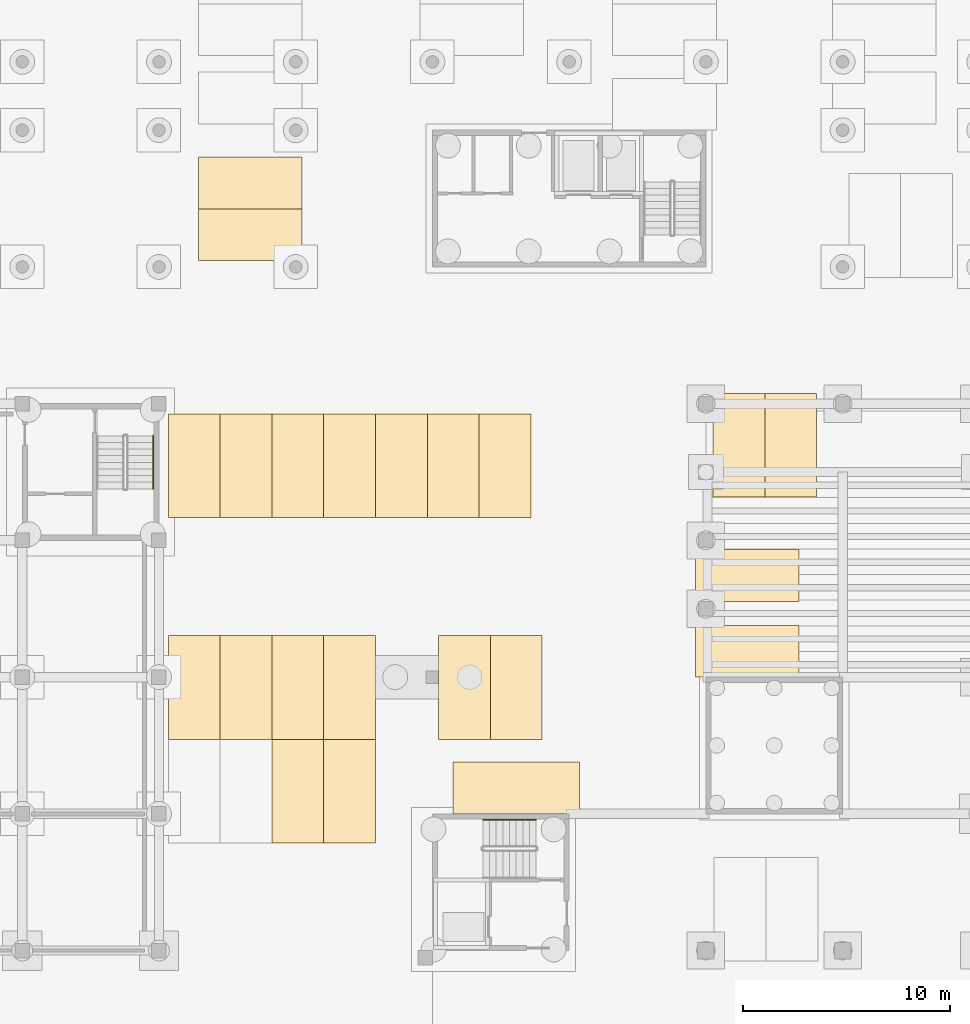
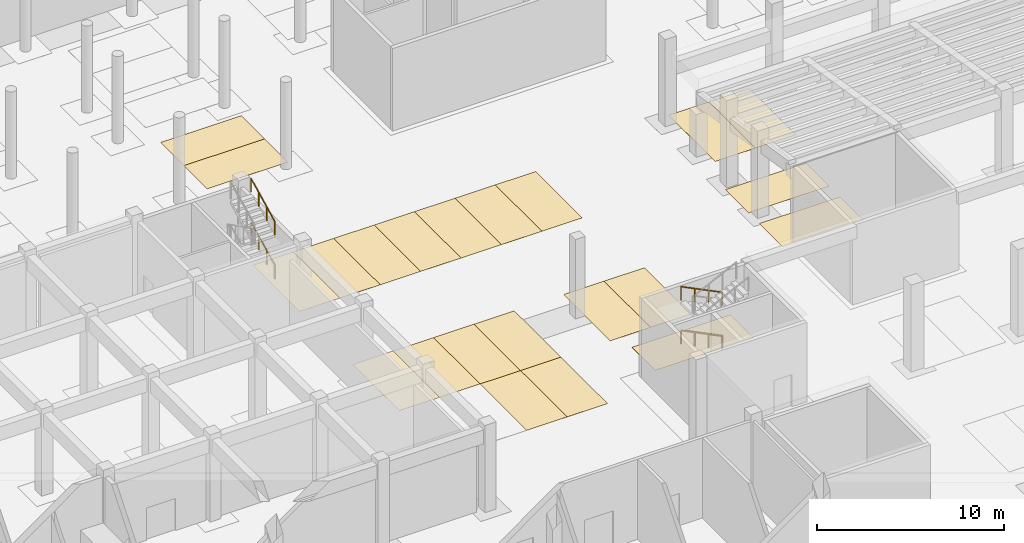
# One storey, part 33 of 38: 22 coverings, 4 railings.
"""IFC4 building model written with IfcOpenShell, lengths in metres."""

from ifc_helpers import new_model, si_unit, direction, frame, origin, origin_2d, place, context, subcontext, project, spatial, polyline, circle, outline, extrude, material, layer, layer_set, type_object, element, save


model = new_model("IFC4")

# Units and contexts
model_context = context("Model", 3, precision=1e-05, world=origin(), true_north=direction((0.0, 1.0)))
body_context = subcontext(model_context, "Body", "Model", "MODEL_VIEW")
ifc_project = project(units=[si_unit("LENGTHUNIT", "METRE"), si_unit("AREAUNIT", "SQUARE_METRE"), si_unit("VOLUMEUNIT", "CUBIC_METRE"), si_unit("PLANEANGLEUNIT", "RADIAN"), si_unit("MASSUNIT", "GRAM", prefix="KILO")], contexts=[model_context])

# Site, building, storey
site_placement = place(None, origin())
site = spatial("IfcSite", under=ifc_project, at=site_placement, CompositionType="ELEMENT")
building_placement = place(site_placement, origin())
building = spatial("IfcBuilding", under=site, at=building_placement, Name="Lantern Court Research Institute", CompositionType="ELEMENT")
storey_placement = place(building_placement, frame((0.0, 0.0, -5.699951171875)))
storey = spatial("IfcBuildingStorey", under=building, at=storey_placement, Name="B1", CompositionType="ELEMENT", Elevation=-5.699951171875)

# Coverings
ifc_material_1 = material(Name="Thermoplastic road marking paint")
ifc_layer_1 = layer(ifc_material_1, 0.0029296875)
ifc_layer_set_1 = layer_set([ifc_layer_1], Name="Thermoplastic road marking paint")
covering_type_1 = type_object("IfcCoveringType", Name="Accessible parking bay marking", PredefinedType="FLOORING", material=ifc_layer_set_1)
covering_1_placement = place(storey_placement, origin())
element("IfcCovering", 1, at=covering_1_placement, inside=storey, type_object=covering_type_1, Name="Accessible parking bay marking 04", PredefinedType="FLOORING", context=body_context, shape_type="SweptSolid", body=[
    extrude(outline(polyline([(40.60009765625, 56.10009765625), (46.699951171875, 56.10009765625), (46.699951171875, 58.60009765625), (40.60009765625, 58.60009765625), (40.60009765625, 56.10009765625)])), origin(), (0.0, 0.0, 1.0), 0.0029296875),
])
ifc_material_2 = material(Name="Thermoplastic road marking paint")
ifc_layer_2 = layer(ifc_material_2, 0.0029296875)
ifc_layer_set_2 = layer_set([ifc_layer_2], Name="Thermoplastic road marking paint")
covering_type_2 = type_object("IfcCoveringType", Name="Electric vehicle parking bay marking", PredefinedType="FLOORING", material=ifc_layer_set_2)
covering_2_placement = place(storey_placement, origin())
element("IfcCovering", 2, at=covering_2_placement, inside=storey, type_object=covering_type_2, Name="Electric vehicle parking bay marking 05", PredefinedType="FLOORING", context=body_context, shape_type="SweptSolid", body=[
    extrude(outline(polyline([(42.39990234375, 59.699951171875), (44.89990234375, 59.699951171875), (44.89990234375, 64.699951171875), (42.39990234375, 64.699951171875), (42.39990234375, 59.699951171875)])), origin(), (0.0, 0.0, 1.0), 0.0029296875),
])
ifc_material_3 = material(Name="Thermoplastic road marking paint")
ifc_layer_3 = layer(ifc_material_3, 0.0029296875)
ifc_layer_set_3 = layer_set([ifc_layer_3], Name="Thermoplastic road marking paint")
covering_type_3 = type_object("IfcCoveringType", Name="Parking bay marking", PredefinedType="FLOORING", material=ifc_layer_set_3)
covering_3_placement = place(storey_placement, origin())
element("IfcCovering", 3, at=covering_3_placement, inside=storey, type_object=covering_type_3, Name="Parking bay marking 082", PredefinedType="FLOORING", context=body_context, shape_type="SweptSolid", body=[
    extrude(outline(polyline([(31.85009765625, 54.699951171875), (34.35009765625, 54.699951171875), (34.35009765625, 59.699951171875), (31.85009765625, 59.699951171875), (31.85009765625, 54.699951171875)])), origin(), (0.0, 0.0, 1.0), 0.0029296875),
])
covering_4_placement = place(storey_placement, origin())
element("IfcCovering", 4, at=covering_4_placement, inside=storey, type_object=covering_type_3, Name="Parking bay marking 083", PredefinedType="FLOORING", context=body_context, shape_type="SweptSolid", body=[
    extrude(outline(polyline([(34.35009765625, 54.699951171875), (36.85009765625, 54.699951171875), (36.85009765625, 59.699951171875), (34.35009765625, 59.699951171875), (34.35009765625, 54.699951171875)])), origin(), (0.0, 0.0, 1.0), 0.0029296875),
])
covering_5_placement = place(storey_placement, origin())
element("IfcCovering", 5, at=covering_5_placement, inside=storey, type_object=covering_type_3, Name="Parking bay marking 088", PredefinedType="FLOORING", context=body_context, shape_type="SweptSolid", body=[
    extrude(outline(polyline([(26.85009765625, 59.699951171875), (29.35009765625, 59.699951171875), (29.35009765625, 64.699951171875), (26.85009765625, 64.699951171875), (26.85009765625, 59.699951171875)])), origin(), (0.0, 0.0, 1.0), 0.0029296875),
])
covering_6_placement = place(storey_placement, origin())
element("IfcCovering", 6, at=covering_6_placement, inside=storey, type_object=covering_type_3, Name="Parking bay marking 089", PredefinedType="FLOORING", context=body_context, shape_type="SweptSolid", body=[
    extrude(outline(polyline([(29.35009765625, 59.699951171875), (31.85009765625, 59.699951171875), (31.85009765625, 64.699951171875), (29.35009765625, 64.699951171875), (29.35009765625, 59.699951171875)])), origin(), (0.0, 0.0, 1.0), 0.0029296875),
])
covering_7_placement = place(storey_placement, origin())
element("IfcCovering", 7, at=covering_7_placement, inside=storey, type_object=covering_type_3, Name="Parking bay marking 090", PredefinedType="FLOORING", context=body_context, shape_type="SweptSolid", body=[
    extrude(outline(polyline([(31.85009765625, 59.699951171875), (34.35009765625, 59.699951171875), (34.35009765625, 64.699951171875), (31.85009765625, 64.699951171875), (31.85009765625, 59.699951171875)])), origin(), (0.0, 0.0, 1.0), 0.0029296875),
])
covering_8_placement = place(storey_placement, origin())
element("IfcCovering", 8, at=covering_8_placement, inside=storey, type_object=covering_type_3, Name="Parking bay marking 091", PredefinedType="FLOORING", context=body_context, shape_type="SweptSolid", body=[
    extrude(outline(polyline([(34.35009765625, 59.699951171875), (36.85009765625, 59.699951171875), (36.85009765625, 64.699951171875), (34.35009765625, 64.699951171875), (34.35009765625, 59.699951171875)])), origin(), (0.0, 0.0, 1.0), 0.0029296875),
])
covering_9_placement = place(storey_placement, origin())
element("IfcCovering", 9, at=covering_9_placement, inside=storey, type_object=covering_type_3, Name="Parking bay marking 092", PredefinedType="FLOORING", context=body_context, shape_type="SweptSolid", body=[
    extrude(outline(polyline([(39.89990234375, 59.699951171875), (42.39990234375, 59.699951171875), (42.39990234375, 64.699951171875), (39.89990234375, 64.699951171875), (39.89990234375, 59.699951171875)])), origin(), (0.0, 0.0, 1.0), 0.0029296875),
])
covering_10_placement = place(storey_placement, origin())
element("IfcCovering", 10, at=covering_10_placement, inside=storey, type_object=covering_type_3, Name="Parking bay marking 093", PredefinedType="FLOORING", context=body_context, shape_type="SweptSolid", body=[
    extrude(outline(polyline([(52.300048828125, 62.699951171875), (57.300048828125, 62.699951171875), (57.300048828125, 65.199951171875), (52.300048828125, 65.199951171875), (52.300048828125, 62.699951171875)])), origin(), (0.0, 0.0, 1.0), 0.0029296875),
])
covering_11_placement = place(storey_placement, origin())
element("IfcCovering", 11, at=covering_11_placement, inside=storey, type_object=covering_type_3, Name="Parking bay marking 094", PredefinedType="FLOORING", context=body_context, shape_type="SweptSolid", body=[
    extrude(outline(polyline([(52.300048828125, 66.35009765625), (57.300048828125, 66.35009765625), (57.300048828125, 68.85009765625), (52.300048828125, 68.85009765625), (52.300048828125, 66.35009765625)])), origin(), (0.0, 0.0, 1.0), 0.0029296875),
])
covering_12_placement = place(storey_placement, origin())
element("IfcCovering", 12, at=covering_12_placement, inside=storey, type_object=covering_type_3, Name="Parking bay marking 100", PredefinedType="FLOORING", context=body_context, shape_type="SweptSolid", body=[
    extrude(outline(polyline([(26.85009765625, 70.39990234375), (29.35009765625, 70.39990234375), (29.35009765625, 75.39990234375), (26.85009765625, 75.39990234375), (26.85009765625, 70.39990234375)])), origin(), (0.0, 0.0, 1.0), 0.0029296875),
])
covering_13_placement = place(storey_placement, origin())
element("IfcCovering", 13, at=covering_13_placement, inside=storey, type_object=covering_type_3, Name="Parking bay marking 101", PredefinedType="FLOORING", context=body_context, shape_type="SweptSolid", body=[
    extrude(outline(polyline([(29.35009765625, 70.39990234375), (31.85009765625, 70.39990234375), (31.85009765625, 75.39990234375), (29.35009765625, 75.39990234375), (29.35009765625, 70.39990234375)])), origin(), (0.0, 0.0, 1.0), 0.0029296875),
])
covering_14_placement = place(storey_placement, origin())
element("IfcCovering", 14, at=covering_14_placement, inside=storey, type_object=covering_type_3, Name="Parking bay marking 102", PredefinedType="FLOORING", context=body_context, shape_type="SweptSolid", body=[
    extrude(outline(polyline([(31.85009765625, 70.39990234375), (34.35009765625, 70.39990234375), (34.35009765625, 75.39990234375), (31.85009765625, 75.39990234375), (31.85009765625, 70.39990234375)])), origin(), (0.0, 0.0, 1.0), 0.0029296875),
])
covering_15_placement = place(storey_placement, origin())
element("IfcCovering", 15, at=covering_15_placement, inside=storey, type_object=covering_type_3, Name="Parking bay marking 103", PredefinedType="FLOORING", context=body_context, shape_type="SweptSolid", body=[
    extrude(outline(polyline([(34.35009765625, 70.39990234375), (36.85009765625, 70.39990234375), (36.85009765625, 75.39990234375), (34.35009765625, 75.39990234375), (34.35009765625, 70.39990234375)])), origin(), (0.0, 0.0, 1.0), 0.0029296875),
])
covering_16_placement = place(storey_placement, origin())
element("IfcCovering", 16, at=covering_16_placement, inside=storey, type_object=covering_type_3, Name="Parking bay marking 104", PredefinedType="FLOORING", context=body_context, shape_type="SweptSolid", body=[
    extrude(outline(polyline([(36.85009765625, 70.39990234375), (39.35009765625, 70.39990234375), (39.35009765625, 75.39990234375), (36.85009765625, 75.39990234375), (36.85009765625, 70.39990234375)])), origin(), (0.0, 0.0, 1.0), 0.0029296875),
])
covering_17_placement = place(storey_placement, origin())
element("IfcCovering", 17, at=covering_17_placement, inside=storey, type_object=covering_type_3, Name="Parking bay marking 105", PredefinedType="FLOORING", context=body_context, shape_type="SweptSolid", body=[
    extrude(outline(polyline([(39.35009765625, 70.39990234375), (41.85009765625, 70.39990234375), (41.85009765625, 75.39990234375), (39.35009765625, 75.39990234375), (39.35009765625, 70.39990234375)])), origin(), (0.0, 0.0, 1.0), 0.0029296875),
])
covering_18_placement = place(storey_placement, origin())
element("IfcCovering", 18, at=covering_18_placement, inside=storey, type_object=covering_type_3, Name="Parking bay marking 106", PredefinedType="FLOORING", context=body_context, shape_type="SweptSolid", body=[
    extrude(outline(polyline([(41.85009765625, 70.39990234375), (44.35009765625, 70.39990234375), (44.35009765625, 75.39990234375), (41.85009765625, 75.39990234375), (41.85009765625, 70.39990234375)])), origin(), (0.0, 0.0, 1.0), 0.0029296875),
])
covering_19_placement = place(storey_placement, origin())
element("IfcCovering", 19, at=covering_19_placement, inside=storey, type_object=covering_type_3, Name="Parking bay marking 109", PredefinedType="FLOORING", context=body_context, shape_type="SweptSolid", body=[
    extrude(outline(polyline([(53.14990234375, 71.39990234375), (55.64990234375, 71.39990234375), (55.64990234375, 76.39990234375), (53.14990234375, 76.39990234375), (53.14990234375, 71.39990234375)])), origin(), (0.0, 0.0, 1.0), 0.0029296875),
])
covering_20_placement = place(storey_placement, origin())
element("IfcCovering", 20, at=covering_20_placement, inside=storey, type_object=covering_type_3, Name="Parking bay marking 110", PredefinedType="FLOORING", context=body_context, shape_type="SweptSolid", body=[
    extrude(outline(polyline([(55.64990234375, 71.39990234375), (58.14990234375, 71.39990234375), (58.14990234375, 76.39990234375), (55.64990234375, 76.39990234375), (55.64990234375, 71.39990234375)])), origin(), (0.0, 0.0, 1.0), 0.0029296875),
])
covering_21_placement = place(storey_placement, origin())
element("IfcCovering", 21, at=covering_21_placement, inside=storey, type_object=covering_type_3, Name="Parking bay marking 119", PredefinedType="FLOORING", context=body_context, shape_type="SweptSolid", body=[
    extrude(outline(polyline([(28.300048828125, 82.800048828125), (33.300048828125, 82.800048828125), (33.300048828125, 85.300048828125), (28.300048828125, 85.300048828125), (28.300048828125, 82.800048828125)])), origin(), (0.0, 0.0, 1.0), 0.0029296875),
])
covering_22_placement = place(storey_placement, origin())
element("IfcCovering", 22, at=covering_22_placement, inside=storey, type_object=covering_type_3, Name="Parking bay marking 122", PredefinedType="FLOORING", context=body_context, shape_type="SweptSolid", body=[
    extrude(outline(polyline([(28.300048828125, 85.300048828125), (33.300048828125, 85.300048828125), (33.300048828125, 87.800048828125), (28.300048828125, 87.800048828125), (28.300048828125, 85.300048828125)])), origin(), (0.0, 0.0, 1.0), 0.0029296875),
])

# Railings
ifc_material_4 = material(Name="Stainless steel 316", Category="steel")
railing_type = type_object("IfcRailingType", Name="Stair handrail 900 steel", PredefinedType="HANDRAIL", material=ifc_material_4)
for number, where, name in (
    (23, (26.125, 71.7900390625, 1.583251953125), "B1 ST-C2 stair handrail 2"),
    (24, (26.125, 71.7900390625, 4.433349609375), "B1 ST-C2 stair handrail 4"),
):
    element("IfcRailing", number, at=place(storey_placement, frame(where)), inside=storey, type_object=railing_type, Name=name, PredefinedType="HANDRAIL", context=body_context, shape_type="SweptSolid", body=[
        extrude(circle(Radius=0.02392578125, at=origin_2d()), frame((0.0, 0.0, 0.8759765625), z_axis=(0.0, 0.896299752543, 0.443448704577), x_axis=(-1.0, 0.0, 0.0)), (0.0, 0.0, 1.0), 2.856201171875),
        extrude(circle(Radius=0.02099609375, at=origin_2d()), origin(), (0.0, 0.0, 1.0), 0.851806640625),
        extrude(circle(Radius=0.02099609375, at=origin_2d()), frame((0.0, 0.853271484375, 0.422119140625)), (0.0, 0.0, 1.0), 0.851806640625),
        extrude(circle(Radius=0.02099609375, at=origin_2d()), frame((0.0, 1.706787109375, 0.844482421875)), (0.0, 0.0, 1.0), 0.851806640625),
        extrude(circle(Radius=0.02099609375, at=origin_2d()), frame((0.0, 2.56005859375, 1.2666015625)), (0.0, 0.0, 1.0), 0.851806640625),
    ])
railing_1_placement = place(storey_placement, frame((44.60009765625, 55.824951171875, 0.158203125)))
element("IfcRailing", 25, at=railing_1_placement, inside=storey, type_object=railing_type, Name="B1 ST-H1 stair handrail 1", PredefinedType="HANDRAIL", context=body_context, shape_type="SweptSolid", body=[
    extrude(circle(Radius=0.02392578125, at=origin_2d()), frame((0.0, 0.0, 0.8759765625), z_axis=(-0.896265777717, 0.0, 0.443517367974), x_axis=(0.0, -1.0, 0.0)), (0.0, 0.0, 1.0), 2.8564453125),
    extrude(circle(Radius=0.02099609375, at=origin_2d()), origin(), (0.0, 0.0, 1.0), 0.851806640625),
    extrude(circle(Radius=0.02099609375, at=origin_2d()), frame((-0.853271484375, 0.0, 0.42236328125)), (0.0, 0.0, 1.0), 0.851806640625),
    extrude(circle(Radius=0.02099609375, at=origin_2d()), frame((-1.706787109375, 0.0, 0.844482421875)), (0.0, 0.0, 1.0), 0.851806640625),
    extrude(circle(Radius=0.02099609375, at=origin_2d()), frame((-2.56005859375, 0.0, 1.266845703125)), (0.0, 0.0, 1.0), 0.851806640625),
])
railing_2_placement = place(storey_placement, frame((44.60009765625, 55.824951171875, 3.00830078125)))
element("IfcRailing", 26, at=railing_2_placement, inside=storey, type_object=railing_type, Name="B1 ST-H1 stair handrail 3", PredefinedType="HANDRAIL", context=body_context, shape_type="SweptSolid", body=[
    extrude(circle(Radius=0.02392578125, at=origin_2d()), frame((0.0, 0.0, 0.8759765625), z_axis=(-0.896299752543, 0.0, 0.443448704577), x_axis=(0.0, -1.0, 0.0)), (0.0, 0.0, 1.0), 2.856201171875),
    extrude(circle(Radius=0.02099609375, at=origin_2d()), origin(), (0.0, 0.0, 1.0), 0.851806640625),
    extrude(circle(Radius=0.02099609375, at=origin_2d()), frame((-0.853271484375, 0.0, 0.422119140625)), (0.0, 0.0, 1.0), 0.851806640625),
    extrude(circle(Radius=0.02099609375, at=origin_2d()), frame((-1.706787109375, 0.0, 0.844482421875)), (0.0, 0.0, 1.0), 0.851806640625),
    extrude(circle(Radius=0.02099609375, at=origin_2d()), frame((-2.56005859375, 0.0, 1.2666015625)), (0.0, 0.0, 1.0), 0.851806640625),
])

save(model, "model.ifc")
